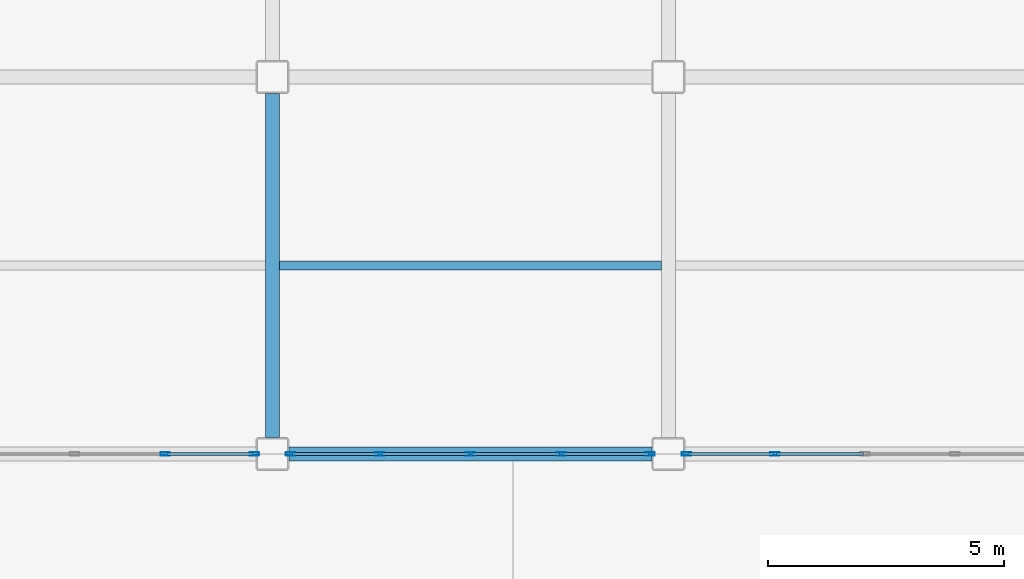
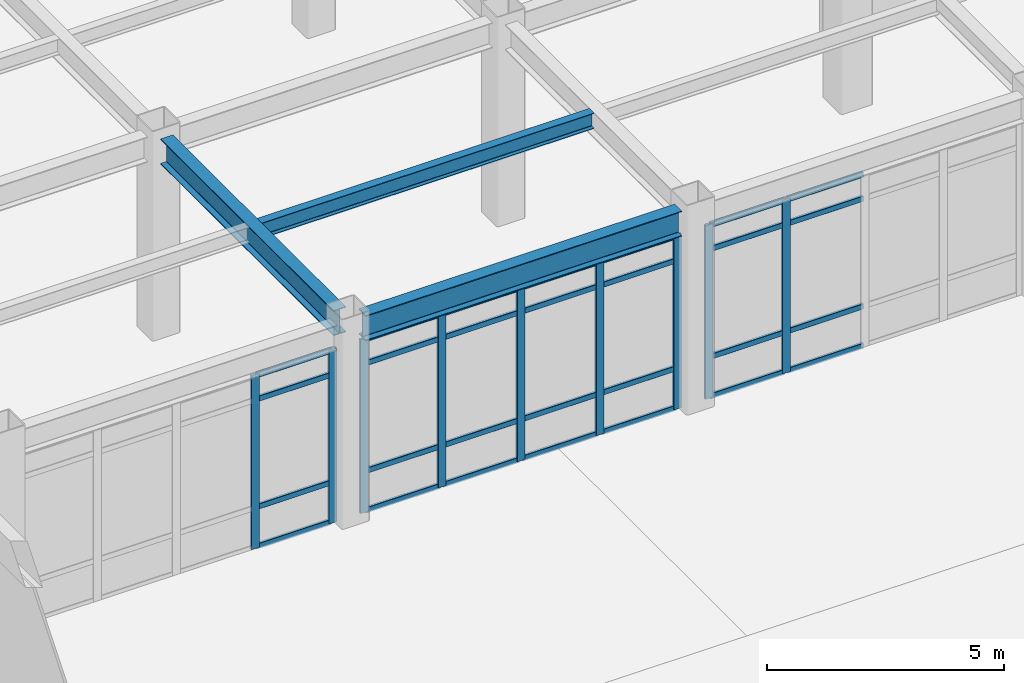
# One storey, part 84 of 165: 37 members, 3 beams, 3 elements without a shape of their own.
"""IFC4 building model written with IfcOpenShell, lengths in metres."""

from ifc_helpers import new_model, si_unit, direction, frame, origin, origin_2d, place, context, subcontext, project, spatial, hollow_rectangle, i_section, extrude, material, layer, layer_set, material_profile, profile_set, type_object, element, aggregate, save


model = new_model("IFC4")

# Units and contexts
model_context = context("Model", 3, precision=1e-05, world=origin(), true_north=direction((0.0, 1.0)))
body_context = subcontext(model_context, "Body", "Model", "MODEL_VIEW")
ifc_project = project(units=[si_unit("LENGTHUNIT", "METRE"), si_unit("AREAUNIT", "SQUARE_METRE"), si_unit("VOLUMEUNIT", "CUBIC_METRE"), si_unit("PLANEANGLEUNIT", "RADIAN"), si_unit("MASSUNIT", "GRAM", prefix="KILO")], contexts=[model_context])

# Site, building, storey
site_placement = place(None, origin())
site = spatial("IfcSite", under=ifc_project, at=site_placement, CompositionType="ELEMENT")
building_placement = place(site_placement, origin())
building = spatial("IfcBuilding", under=site, at=building_placement, Name="Kazehara Bluff Congress Hotel", CompositionType="ELEMENT")
storey_placement = place(building_placement, origin())
storey = spatial("IfcBuildingStorey", under=building, at=storey_placement, Name="L00", CompositionType="ELEMENT", Elevation=0.0)

# Curtain wall, members
ifc_material_1 = material(Name="Anodised aluminium", Category="aluminium")
ifc_layer_1 = layer(ifc_material_1, 0.159912109375)
ifc_layer_set_1 = layer_set([ifc_layer_1], Name="Anodised aluminium")
curtain_wall_type_1 = type_object("IfcCurtainWallType", Name="TP-CW-26", PredefinedType="NOTDEFINED", material=ifc_layer_set_1)
curtain_wall_1_placement = place(storey_placement, origin())
curtain_wall_1 = element("IfcCurtainWall", 1, at=curtain_wall_1_placement, inside=storey, type_object=curtain_wall_type_1, Name="L00 curtain wall CW-26 CW-V5-L00-Y1600-11885", PredefinedType="NOTDEFINED")
ifc_material_2 = material(Name="Anodised aluminium", Category="aluminium")
ifc_material_profile_1 = material_profile(ifc_material_2, hollow_rectangle(XDim=0.070068359375, YDim=0.199951171875, WallThickness=0.0048828125, InnerFilletRadius=0.0048828125, OuterFilletRadius=0.010009765625, at=origin_2d()))
ifc_profile_set_1 = profile_set([ifc_material_profile_1], Name="Anodised aluminium")
member_type_1 = type_object("IfcMemberType", Name="TP-CWM-03", PredefinedType="MULLION", material=ifc_profile_set_1)
member_1_placement = place(storey_placement, frame((124.625, 16.0, 0.0), z_axis=(0.0, 0.0, 1.0), x_axis=(0.0, 1.0, 0.0)))
member_1 = element("IfcMember", 2, at=member_1_placement, type_object=member_type_1, Name="CW-26 mullion 4", PredefinedType="MULLION", context=body_context, shape_type="SweptSolid", body=[
    extrude(hollow_rectangle(XDim=0.070068359375, YDim=0.199951171875, WallThickness=0.0048828125, InnerFilletRadius=0.0048828125, OuterFilletRadius=0.010009765625, at=origin_2d()), origin(), (0.0, 0.0, 1.0), 4.47509765625),
])
member_2_placement = place(storey_placement, frame((126.514892578125, 16.0, 0.0), z_axis=(0.0, 0.0, 1.0), x_axis=(0.0, 1.0, 0.0)))
member_2 = element("IfcMember", 3, at=member_2_placement, type_object=member_type_1, Name="CW-26 mullion 5", PredefinedType="MULLION", context=body_context, shape_type="SweptSolid", body=[
    extrude(hollow_rectangle(XDim=0.070068359375, YDim=0.199951171875, WallThickness=0.0048828125, InnerFilletRadius=0.0048828125, OuterFilletRadius=0.010009765625, at=origin_2d()), origin(), (0.0, 0.0, 1.0), 4.47509765625),
])

curtain_wall_2_placement = place(storey_placement, origin())
curtain_wall_2 = element("IfcCurtainWall", 4, at=curtain_wall_2_placement, inside=storey, type_object=curtain_wall_type_1, Name="L00 curtain wall CW-26 CW-V5-L00-Y1600-12725", PredefinedType="NOTDEFINED")
member_3_placement = place(storey_placement, frame((127.284912109375, 16.0, 0.0), z_axis=(0.0, 0.0, 1.0), x_axis=(0.0, 1.0, 0.0)))
member_3 = element("IfcMember", 5, at=member_3_placement, type_object=member_type_1, Name="CW-26 mullion 1", PredefinedType="MULLION", context=body_context, shape_type="SweptSolid", body=[
    extrude(hollow_rectangle(XDim=0.070068359375, YDim=0.199951171875, WallThickness=0.0048828125, InnerFilletRadius=0.0048828125, OuterFilletRadius=0.010009765625, at=origin_2d()), origin(), (0.0, 0.0, 1.0), 4.47509765625),
])
member_4_placement = place(storey_placement, frame((129.175048828125, 16.0, 0.0), z_axis=(0.0, 0.0, 1.0), x_axis=(0.0, 1.0, 0.0)))
member_4 = element("IfcMember", 6, at=member_4_placement, type_object=member_type_1, Name="CW-26 mullion 2", PredefinedType="MULLION", context=body_context, shape_type="SweptSolid", body=[
    extrude(hollow_rectangle(XDim=0.070068359375, YDim=0.199951171875, WallThickness=0.0048828125, InnerFilletRadius=0.0048828125, OuterFilletRadius=0.010009765625, at=origin_2d()), origin(), (0.0, 0.0, 1.0), 4.47509765625),
])
member_5_placement = place(storey_placement, frame((131.10009765625, 16.0, 0.0), z_axis=(0.0, 0.0, 1.0), x_axis=(0.0, 1.0, 0.0)))
member_5 = element("IfcMember", 7, at=member_5_placement, type_object=member_type_1, Name="CW-26 mullion 3", PredefinedType="MULLION", context=body_context, shape_type="SweptSolid", body=[
    extrude(hollow_rectangle(XDim=0.070068359375, YDim=0.199951171875, WallThickness=0.0048828125, InnerFilletRadius=0.0048828125, OuterFilletRadius=0.010009765625, at=origin_2d()), origin(), (0.0, 0.0, 1.0), 4.47509765625),
])
member_6_placement = place(storey_placement, frame((133.02490234375, 16.0, 0.0), z_axis=(0.0, 0.0, 1.0), x_axis=(0.0, 1.0, 0.0)))
member_6 = element("IfcMember", 8, at=member_6_placement, type_object=member_type_1, Name="CW-26 mullion 4", PredefinedType="MULLION", context=body_context, shape_type="SweptSolid", body=[
    extrude(hollow_rectangle(XDim=0.070068359375, YDim=0.199951171875, WallThickness=0.0048828125, InnerFilletRadius=0.0048828125, OuterFilletRadius=0.010009765625, at=origin_2d()), origin(), (0.0, 0.0, 1.0), 4.47509765625),
])
member_7_placement = place(storey_placement, frame((134.9150390625, 16.0, 0.0), z_axis=(0.0, 0.0, 1.0), x_axis=(0.0, 1.0, 0.0)))
member_7 = element("IfcMember", 9, at=member_7_placement, type_object=member_type_1, Name="CW-26 mullion 5", PredefinedType="MULLION", context=body_context, shape_type="SweptSolid", body=[
    extrude(hollow_rectangle(XDim=0.070068359375, YDim=0.199951171875, WallThickness=0.0048828125, InnerFilletRadius=0.0048828125, OuterFilletRadius=0.010009765625, at=origin_2d()), origin(), (0.0, 0.0, 1.0), 4.47509765625),
])

ifc_material_3 = material(Name="Anodised aluminium", Category="aluminium")
ifc_layer_2 = layer(ifc_material_3, 0.159912109375)
ifc_layer_set_2 = layer_set([ifc_layer_2], Name="Anodised aluminium")
curtain_wall_type_2 = type_object("IfcCurtainWallType", Name="TP-CW-19", PredefinedType="NOTDEFINED", material=ifc_layer_set_2)
curtain_wall_3_placement = place(storey_placement, origin())
curtain_wall_3 = element("IfcCurtainWall", 10, at=curtain_wall_3_placement, inside=storey, type_object=curtain_wall_type_2, Name="L00 curtain wall CW-19 CW-V5-L00-Y1600-13565", PredefinedType="NOTDEFINED")
member_8_placement = place(storey_placement, frame((135.68505859375, 16.0, 0.0), z_axis=(0.0, 0.0, 1.0), x_axis=(0.0, 1.0, 0.0)))
member_8 = element("IfcMember", 11, at=member_8_placement, type_object=member_type_1, Name="CW-19 mullion 1", PredefinedType="MULLION", context=body_context, shape_type="SweptSolid", body=[
    extrude(hollow_rectangle(XDim=0.070068359375, YDim=0.199951171875, WallThickness=0.0048828125, InnerFilletRadius=0.0048828125, OuterFilletRadius=0.010009765625, at=origin_2d()), origin(), (0.0, 0.0, 1.0), 4.47509765625),
])
member_9_placement = place(storey_placement, frame((137.5625, 16.0, 0.0), z_axis=(0.0, 0.0, 1.0), x_axis=(0.0, 1.0, 0.0)))
member_9 = element("IfcMember", 12, at=member_9_placement, type_object=member_type_1, Name="CW-19 mullion 2", PredefinedType="MULLION", context=body_context, shape_type="SweptSolid", body=[
    extrude(hollow_rectangle(XDim=0.070068359375, YDim=0.199951171875, WallThickness=0.0048828125, InnerFilletRadius=0.0048828125, OuterFilletRadius=0.010009765625, at=origin_2d()), origin(), (0.0, 0.0, 1.0), 4.47509765625),
])

# Member
ifc_material_4 = material(Name="Anodised aluminium", Category="aluminium")
ifc_material_profile_2 = material_profile(ifc_material_4, hollow_rectangle(XDim=0.06494140625, YDim=0.139892578125, WallThickness=0.00390625, InnerFilletRadius=0.00390625, OuterFilletRadius=0.008056640625, at=origin_2d()))
ifc_profile_set_2 = profile_set([ifc_material_profile_2], Name="Anodised aluminium")
member_type_2 = type_object("IfcMemberType", Name="TP-CWT-02", PredefinedType="USERDEFINED", material=ifc_profile_set_2)
member_10_placement = place(storey_placement, frame((124.659912109375, 16.0, 0.032470703125), z_axis=(1.0, 0.0, 0.0), x_axis=(0.0, 1.0, 0.0)))
member_10 = element("IfcMember", 13, at=member_10_placement, type_object=member_type_2, Name="CW-26 transom 4.1", ObjectType="TRANSOM", PredefinedType="USERDEFINED", context=body_context, shape_type="SweptSolid", body=[
    extrude(hollow_rectangle(XDim=0.06494140625, YDim=0.139892578125, WallThickness=0.00390625, InnerFilletRadius=0.00390625, OuterFilletRadius=0.008056640625, at=origin_2d()), origin(), (0.0, 0.0, 1.0), 1.820068359375),
])

member_11_placement = place(storey_placement, frame((124.659912109375, 16.0, 1.050048828125), z_axis=(1.0, 0.0, 0.0), x_axis=(0.0, 1.0, 0.0)))
member_11 = element("IfcMember", 14, at=member_11_placement, type_object=member_type_2, Name="CW-26 transom 4.2", ObjectType="TRANSOM", PredefinedType="USERDEFINED", context=body_context, shape_type="SweptSolid", body=[
    extrude(hollow_rectangle(XDim=0.06494140625, YDim=0.139892578125, WallThickness=0.00390625, InnerFilletRadius=0.00390625, OuterFilletRadius=0.008056640625, at=origin_2d()), origin(), (0.0, 0.0, 1.0), 1.820068359375),
])

member_12_placement = place(storey_placement, frame((124.659912109375, 16.0, 3.824951171875), z_axis=(1.0, 0.0, 0.0), x_axis=(0.0, 1.0, 0.0)))
member_12 = element("IfcMember", 15, at=member_12_placement, type_object=member_type_2, Name="CW-26 transom 4.3", ObjectType="TRANSOM", PredefinedType="USERDEFINED", context=body_context, shape_type="SweptSolid", body=[
    extrude(hollow_rectangle(XDim=0.06494140625, YDim=0.139892578125, WallThickness=0.00390625, InnerFilletRadius=0.00390625, OuterFilletRadius=0.008056640625, at=origin_2d()), origin(), (0.0, 0.0, 1.0), 1.820068359375),
])

member_13_placement = place(storey_placement, frame((124.659912109375, 16.0, 4.4423828125), z_axis=(1.0, 0.0, 0.0), x_axis=(0.0, 1.0, 0.0)))
member_13 = element("IfcMember", 16, at=member_13_placement, type_object=member_type_2, Name="CW-26 transom 4.4", ObjectType="TRANSOM", PredefinedType="USERDEFINED", context=body_context, shape_type="SweptSolid", body=[
    extrude(hollow_rectangle(XDim=0.06494140625, YDim=0.139892578125, WallThickness=0.00390625, InnerFilletRadius=0.00390625, OuterFilletRadius=0.008056640625, at=origin_2d()), origin(), (0.0, 0.0, 1.0), 1.820068359375),
])

aggregate(curtain_wall_1, [member_1, member_2, member_10, member_11, member_12, member_13])

member_14_placement = place(storey_placement, frame((127.320068359375, 16.0, 0.032470703125), z_axis=(1.0, 0.0, 0.0), x_axis=(0.0, 1.0, 0.0)))
member_14 = element("IfcMember", 17, at=member_14_placement, type_object=member_type_2, Name="CW-26 transom 1.1", ObjectType="TRANSOM", PredefinedType="USERDEFINED", context=body_context, shape_type="SweptSolid", body=[
    extrude(hollow_rectangle(XDim=0.06494140625, YDim=0.139892578125, WallThickness=0.00390625, InnerFilletRadius=0.00390625, OuterFilletRadius=0.008056640625, at=origin_2d()), origin(), (0.0, 0.0, 1.0), 1.81982421875),
])

member_15_placement = place(storey_placement, frame((127.320068359375, 16.0, 1.050048828125), z_axis=(1.0, 0.0, 0.0), x_axis=(0.0, 1.0, 0.0)))
member_15 = element("IfcMember", 18, at=member_15_placement, type_object=member_type_2, Name="CW-26 transom 1.2", ObjectType="TRANSOM", PredefinedType="USERDEFINED", context=body_context, shape_type="SweptSolid", body=[
    extrude(hollow_rectangle(XDim=0.06494140625, YDim=0.139892578125, WallThickness=0.00390625, InnerFilletRadius=0.00390625, OuterFilletRadius=0.008056640625, at=origin_2d()), origin(), (0.0, 0.0, 1.0), 1.81982421875),
])

member_16_placement = place(storey_placement, frame((127.320068359375, 16.0, 3.824951171875), z_axis=(1.0, 0.0, 0.0), x_axis=(0.0, 1.0, 0.0)))
member_16 = element("IfcMember", 19, at=member_16_placement, type_object=member_type_2, Name="CW-26 transom 1.3", ObjectType="TRANSOM", PredefinedType="USERDEFINED", context=body_context, shape_type="SweptSolid", body=[
    extrude(hollow_rectangle(XDim=0.06494140625, YDim=0.139892578125, WallThickness=0.00390625, InnerFilletRadius=0.00390625, OuterFilletRadius=0.008056640625, at=origin_2d()), origin(), (0.0, 0.0, 1.0), 1.81982421875),
])

member_17_placement = place(storey_placement, frame((127.320068359375, 16.0, 4.4423828125), z_axis=(1.0, 0.0, 0.0), x_axis=(0.0, 1.0, 0.0)))
member_17 = element("IfcMember", 20, at=member_17_placement, type_object=member_type_2, Name="CW-26 transom 1.4", ObjectType="TRANSOM", PredefinedType="USERDEFINED", context=body_context, shape_type="SweptSolid", body=[
    extrude(hollow_rectangle(XDim=0.06494140625, YDim=0.139892578125, WallThickness=0.00390625, InnerFilletRadius=0.00390625, OuterFilletRadius=0.008056640625, at=origin_2d()), origin(), (0.0, 0.0, 1.0), 1.81982421875),
])

member_18_placement = place(storey_placement, frame((129.2099609375, 16.0, 0.032470703125), z_axis=(1.0, 0.0, 0.0), x_axis=(0.0, 1.0, 0.0)))
member_18 = element("IfcMember", 21, at=member_18_placement, type_object=member_type_2, Name="CW-26 transom 2.1", ObjectType="TRANSOM", PredefinedType="USERDEFINED", context=body_context, shape_type="SweptSolid", body=[
    extrude(hollow_rectangle(XDim=0.06494140625, YDim=0.139892578125, WallThickness=0.00390625, InnerFilletRadius=0.00390625, OuterFilletRadius=0.008056640625, at=origin_2d()), origin(), (0.0, 0.0, 1.0), 1.85498046875),
])

member_19_placement = place(storey_placement, frame((129.2099609375, 16.0, 1.050048828125), z_axis=(1.0, 0.0, 0.0), x_axis=(0.0, 1.0, 0.0)))
member_19 = element("IfcMember", 22, at=member_19_placement, type_object=member_type_2, Name="CW-26 transom 2.2", ObjectType="TRANSOM", PredefinedType="USERDEFINED", context=body_context, shape_type="SweptSolid", body=[
    extrude(hollow_rectangle(XDim=0.06494140625, YDim=0.139892578125, WallThickness=0.00390625, InnerFilletRadius=0.00390625, OuterFilletRadius=0.008056640625, at=origin_2d()), origin(), (0.0, 0.0, 1.0), 1.85498046875),
])

member_20_placement = place(storey_placement, frame((129.2099609375, 16.0, 3.824951171875), z_axis=(1.0, 0.0, 0.0), x_axis=(0.0, 1.0, 0.0)))
member_20 = element("IfcMember", 23, at=member_20_placement, type_object=member_type_2, Name="CW-26 transom 2.3", ObjectType="TRANSOM", PredefinedType="USERDEFINED", context=body_context, shape_type="SweptSolid", body=[
    extrude(hollow_rectangle(XDim=0.06494140625, YDim=0.139892578125, WallThickness=0.00390625, InnerFilletRadius=0.00390625, OuterFilletRadius=0.008056640625, at=origin_2d()), origin(), (0.0, 0.0, 1.0), 1.85498046875),
])

member_21_placement = place(storey_placement, frame((129.2099609375, 16.0, 4.4423828125), z_axis=(1.0, 0.0, 0.0), x_axis=(0.0, 1.0, 0.0)))
member_21 = element("IfcMember", 24, at=member_21_placement, type_object=member_type_2, Name="CW-26 transom 2.4", ObjectType="TRANSOM", PredefinedType="USERDEFINED", context=body_context, shape_type="SweptSolid", body=[
    extrude(hollow_rectangle(XDim=0.06494140625, YDim=0.139892578125, WallThickness=0.00390625, InnerFilletRadius=0.00390625, OuterFilletRadius=0.008056640625, at=origin_2d()), origin(), (0.0, 0.0, 1.0), 1.85498046875),
])

member_22_placement = place(storey_placement, frame((131.135009765625, 16.0, 0.032470703125), z_axis=(1.0, 0.0, 0.0), x_axis=(0.0, 1.0, 0.0)))
member_22 = element("IfcMember", 25, at=member_22_placement, type_object=member_type_2, Name="CW-26 transom 3.1", ObjectType="TRANSOM", PredefinedType="USERDEFINED", context=body_context, shape_type="SweptSolid", body=[
    extrude(hollow_rectangle(XDim=0.06494140625, YDim=0.139892578125, WallThickness=0.00390625, InnerFilletRadius=0.00390625, OuterFilletRadius=0.008056640625, at=origin_2d()), origin(), (0.0, 0.0, 1.0), 1.85498046875),
])

member_23_placement = place(storey_placement, frame((131.135009765625, 16.0, 1.050048828125), z_axis=(1.0, 0.0, 0.0), x_axis=(0.0, 1.0, 0.0)))
member_23 = element("IfcMember", 26, at=member_23_placement, type_object=member_type_2, Name="CW-26 transom 3.2", ObjectType="TRANSOM", PredefinedType="USERDEFINED", context=body_context, shape_type="SweptSolid", body=[
    extrude(hollow_rectangle(XDim=0.06494140625, YDim=0.139892578125, WallThickness=0.00390625, InnerFilletRadius=0.00390625, OuterFilletRadius=0.008056640625, at=origin_2d()), origin(), (0.0, 0.0, 1.0), 1.85498046875),
])

member_24_placement = place(storey_placement, frame((131.135009765625, 16.0, 3.824951171875), z_axis=(1.0, 0.0, 0.0), x_axis=(0.0, 1.0, 0.0)))
member_24 = element("IfcMember", 27, at=member_24_placement, type_object=member_type_2, Name="CW-26 transom 3.3", ObjectType="TRANSOM", PredefinedType="USERDEFINED", context=body_context, shape_type="SweptSolid", body=[
    extrude(hollow_rectangle(XDim=0.06494140625, YDim=0.139892578125, WallThickness=0.00390625, InnerFilletRadius=0.00390625, OuterFilletRadius=0.008056640625, at=origin_2d()), origin(), (0.0, 0.0, 1.0), 1.85498046875),
])

member_25_placement = place(storey_placement, frame((131.135009765625, 16.0, 4.4423828125), z_axis=(1.0, 0.0, 0.0), x_axis=(0.0, 1.0, 0.0)))
member_25 = element("IfcMember", 28, at=member_25_placement, type_object=member_type_2, Name="CW-26 transom 3.4", ObjectType="TRANSOM", PredefinedType="USERDEFINED", context=body_context, shape_type="SweptSolid", body=[
    extrude(hollow_rectangle(XDim=0.06494140625, YDim=0.139892578125, WallThickness=0.00390625, InnerFilletRadius=0.00390625, OuterFilletRadius=0.008056640625, at=origin_2d()), origin(), (0.0, 0.0, 1.0), 1.85498046875),
])

member_26_placement = place(storey_placement, frame((133.06005859375, 16.0, 0.032470703125), z_axis=(1.0, 0.0, 0.0), x_axis=(0.0, 1.0, 0.0)))
member_26 = element("IfcMember", 29, at=member_26_placement, type_object=member_type_2, Name="CW-26 transom 4.1", ObjectType="TRANSOM", PredefinedType="USERDEFINED", context=body_context, shape_type="SweptSolid", body=[
    extrude(hollow_rectangle(XDim=0.06494140625, YDim=0.139892578125, WallThickness=0.00390625, InnerFilletRadius=0.00390625, OuterFilletRadius=0.008056640625, at=origin_2d()), origin(), (0.0, 0.0, 1.0), 1.81982421875),
])

member_27_placement = place(storey_placement, frame((133.06005859375, 16.0, 1.050048828125), z_axis=(1.0, 0.0, 0.0), x_axis=(0.0, 1.0, 0.0)))
member_27 = element("IfcMember", 30, at=member_27_placement, type_object=member_type_2, Name="CW-26 transom 4.2", ObjectType="TRANSOM", PredefinedType="USERDEFINED", context=body_context, shape_type="SweptSolid", body=[
    extrude(hollow_rectangle(XDim=0.06494140625, YDim=0.139892578125, WallThickness=0.00390625, InnerFilletRadius=0.00390625, OuterFilletRadius=0.008056640625, at=origin_2d()), origin(), (0.0, 0.0, 1.0), 1.81982421875),
])

member_28_placement = place(storey_placement, frame((133.06005859375, 16.0, 3.824951171875), z_axis=(1.0, 0.0, 0.0), x_axis=(0.0, 1.0, 0.0)))
member_28 = element("IfcMember", 31, at=member_28_placement, type_object=member_type_2, Name="CW-26 transom 4.3", ObjectType="TRANSOM", PredefinedType="USERDEFINED", context=body_context, shape_type="SweptSolid", body=[
    extrude(hollow_rectangle(XDim=0.06494140625, YDim=0.139892578125, WallThickness=0.00390625, InnerFilletRadius=0.00390625, OuterFilletRadius=0.008056640625, at=origin_2d()), origin(), (0.0, 0.0, 1.0), 1.81982421875),
])

member_29_placement = place(storey_placement, frame((133.06005859375, 16.0, 4.4423828125), z_axis=(1.0, 0.0, 0.0), x_axis=(0.0, 1.0, 0.0)))
member_29 = element("IfcMember", 32, at=member_29_placement, type_object=member_type_2, Name="CW-26 transom 4.4", ObjectType="TRANSOM", PredefinedType="USERDEFINED", context=body_context, shape_type="SweptSolid", body=[
    extrude(hollow_rectangle(XDim=0.06494140625, YDim=0.139892578125, WallThickness=0.00390625, InnerFilletRadius=0.00390625, OuterFilletRadius=0.008056640625, at=origin_2d()), origin(), (0.0, 0.0, 1.0), 1.81982421875),
])

aggregate(curtain_wall_2, [member_3, member_4, member_5, member_6, member_7, member_14, member_15, member_16, member_17, member_18, member_19, member_20, member_21, member_22, member_23, member_24, member_25, member_26, member_27, member_28, member_29])

member_30_placement = place(storey_placement, frame((135.719970703125, 16.0, 0.032470703125), z_axis=(1.0, 0.0, 0.0), x_axis=(0.0, 1.0, 0.0)))
member_30 = element("IfcMember", 33, at=member_30_placement, type_object=member_type_2, Name="CW-19 transom 1.1", ObjectType="TRANSOM", PredefinedType="USERDEFINED", context=body_context, shape_type="SweptSolid", body=[
    extrude(hollow_rectangle(XDim=0.06494140625, YDim=0.139892578125, WallThickness=0.00390625, InnerFilletRadius=0.00390625, OuterFilletRadius=0.008056640625, at=origin_2d()), origin(), (0.0, 0.0, 1.0), 1.8076171875),
])

member_31_placement = place(storey_placement, frame((135.719970703125, 16.0, 1.050048828125), z_axis=(1.0, 0.0, 0.0), x_axis=(0.0, 1.0, 0.0)))
member_31 = element("IfcMember", 34, at=member_31_placement, type_object=member_type_2, Name="CW-19 transom 1.2", ObjectType="TRANSOM", PredefinedType="USERDEFINED", context=body_context, shape_type="SweptSolid", body=[
    extrude(hollow_rectangle(XDim=0.06494140625, YDim=0.139892578125, WallThickness=0.00390625, InnerFilletRadius=0.00390625, OuterFilletRadius=0.008056640625, at=origin_2d()), origin(), (0.0, 0.0, 1.0), 1.8076171875),
])

member_32_placement = place(storey_placement, frame((135.719970703125, 16.0, 3.824951171875), z_axis=(1.0, 0.0, 0.0), x_axis=(0.0, 1.0, 0.0)))
member_32 = element("IfcMember", 35, at=member_32_placement, type_object=member_type_2, Name="CW-19 transom 1.3", ObjectType="TRANSOM", PredefinedType="USERDEFINED", context=body_context, shape_type="SweptSolid", body=[
    extrude(hollow_rectangle(XDim=0.06494140625, YDim=0.139892578125, WallThickness=0.00390625, InnerFilletRadius=0.00390625, OuterFilletRadius=0.008056640625, at=origin_2d()), origin(), (0.0, 0.0, 1.0), 1.8076171875),
])

member_33_placement = place(storey_placement, frame((135.719970703125, 16.0, 4.4423828125), z_axis=(1.0, 0.0, 0.0), x_axis=(0.0, 1.0, 0.0)))
member_33 = element("IfcMember", 36, at=member_33_placement, type_object=member_type_2, Name="CW-19 transom 1.4", ObjectType="TRANSOM", PredefinedType="USERDEFINED", context=body_context, shape_type="SweptSolid", body=[
    extrude(hollow_rectangle(XDim=0.06494140625, YDim=0.139892578125, WallThickness=0.00390625, InnerFilletRadius=0.00390625, OuterFilletRadius=0.008056640625, at=origin_2d()), origin(), (0.0, 0.0, 1.0), 1.8076171875),
])

member_34_placement = place(storey_placement, frame((137.597412109375, 16.0, 0.032470703125), z_axis=(1.0, 0.0, 0.0), x_axis=(0.0, 1.0, 0.0)))
member_34 = element("IfcMember", 37, at=member_34_placement, type_object=member_type_2, Name="CW-19 transom 2.1", ObjectType="TRANSOM", PredefinedType="USERDEFINED", context=body_context, shape_type="SweptSolid", body=[
    extrude(hollow_rectangle(XDim=0.06494140625, YDim=0.139892578125, WallThickness=0.00390625, InnerFilletRadius=0.00390625, OuterFilletRadius=0.008056640625, at=origin_2d()), origin(), (0.0, 0.0, 1.0), 1.842529296875),
])

member_35_placement = place(storey_placement, frame((137.597412109375, 16.0, 1.050048828125), z_axis=(1.0, 0.0, 0.0), x_axis=(0.0, 1.0, 0.0)))
member_35 = element("IfcMember", 38, at=member_35_placement, type_object=member_type_2, Name="CW-19 transom 2.2", ObjectType="TRANSOM", PredefinedType="USERDEFINED", context=body_context, shape_type="SweptSolid", body=[
    extrude(hollow_rectangle(XDim=0.06494140625, YDim=0.139892578125, WallThickness=0.00390625, InnerFilletRadius=0.00390625, OuterFilletRadius=0.008056640625, at=origin_2d()), origin(), (0.0, 0.0, 1.0), 1.842529296875),
])

member_36_placement = place(storey_placement, frame((137.597412109375, 16.0, 3.824951171875), z_axis=(1.0, 0.0, 0.0), x_axis=(0.0, 1.0, 0.0)))
member_36 = element("IfcMember", 39, at=member_36_placement, type_object=member_type_2, Name="CW-19 transom 2.3", ObjectType="TRANSOM", PredefinedType="USERDEFINED", context=body_context, shape_type="SweptSolid", body=[
    extrude(hollow_rectangle(XDim=0.06494140625, YDim=0.139892578125, WallThickness=0.00390625, InnerFilletRadius=0.00390625, OuterFilletRadius=0.008056640625, at=origin_2d()), origin(), (0.0, 0.0, 1.0), 1.842529296875),
])

member_37_placement = place(storey_placement, frame((137.597412109375, 16.0, 4.4423828125), z_axis=(1.0, 0.0, 0.0), x_axis=(0.0, 1.0, 0.0)))
member_37 = element("IfcMember", 40, at=member_37_placement, type_object=member_type_2, Name="CW-19 transom 2.4", ObjectType="TRANSOM", PredefinedType="USERDEFINED", context=body_context, shape_type="SweptSolid", body=[
    extrude(hollow_rectangle(XDim=0.06494140625, YDim=0.139892578125, WallThickness=0.00390625, InnerFilletRadius=0.00390625, OuterFilletRadius=0.008056640625, at=origin_2d()), origin(), (0.0, 0.0, 1.0), 1.842529296875),
])

aggregate(curtain_wall_3, [member_8, member_9, member_30, member_31, member_32, member_33, member_34, member_35, member_36, member_37])

# Beams
ifc_material_5 = material(Name="Steel SN490B", Category="steel")
ifc_material_profile_3 = material_profile(ifc_material_5, i_section(OverallWidth=0.300048828125, OverallDepth=0.64990234375, WebThickness=0.011962890625, FlangeThickness=0.02001953125, FilletRadius=0.012939453125, at=origin_2d()))
ifc_profile_set_3 = profile_set([ifc_material_profile_3], Name="Steel SN490B")
beam_type_1 = type_object("IfcBeamType", Name="TP-G-03", PredefinedType="BEAM", material=ifc_profile_set_3)
beam_1_placement = place(storey_placement, frame((126.89990234375, 16.35009765625, 4.824951171875), z_axis=(0.0, 1.0, 0.0), x_axis=(-1.0, 0.0, 0.0)))
element("IfcBeam", 41, at=beam_1_placement, inside=storey, type_object=beam_type_1, Name="L00 girder G-03 225", PredefinedType="BEAM", context=body_context, shape_type="SweptSolid", body=[
    extrude(i_section(OverallWidth=0.300048828125, OverallDepth=0.64990234375, WebThickness=0.011962890625, FlangeThickness=0.02001953125, FilletRadius=0.012939453125, at=origin_2d()), origin(), (0.0, 0.0, 1.0), 7.2998046875),
])
beam_2_placement = place(storey_placement, frame((127.25, 16.0, 4.824951171875), z_axis=(1.0, 0.0, 0.0), x_axis=(0.0, 1.0, 0.0)))
element("IfcBeam", 42, at=beam_2_placement, inside=storey, type_object=beam_type_1, Name="L00 girder G-03 279", PredefinedType="BEAM", context=body_context, shape_type="SweptSolid", body=[
    extrude(i_section(OverallWidth=0.300048828125, OverallDepth=0.64990234375, WebThickness=0.011962890625, FlangeThickness=0.02001953125, FilletRadius=0.012939453125, at=origin_2d()), origin(), (0.0, 0.0, 1.0), 7.699951171875),
])
ifc_material_6 = material(Name="Steel SN400B", Category="steel")
ifc_material_profile_4 = material_profile(ifc_material_6, i_section(OverallWidth=0.199951171875, OverallDepth=0.39990234375, WebThickness=0.008056640625, FlangeThickness=0.012939453125, FilletRadius=0.012939453125, at=origin_2d()))
ifc_profile_set_4 = profile_set([ifc_material_profile_4], Name="Steel SN400B")
beam_type_2 = type_object("IfcBeamType", Name="TP-J-03", PredefinedType="JOIST", material=ifc_profile_set_4)
beam_3_placement = place(storey_placement, frame((127.050048828125, 20.0, 4.949951171875), z_axis=(1.0, 0.0, 0.0), x_axis=(0.0, 1.0, 0.0)))
element("IfcBeam", 43, at=beam_3_placement, inside=storey, type_object=beam_type_2, Name="L00 secondary joist J-03 57", PredefinedType="JOIST", context=body_context, shape_type="SweptSolid", body=[
    extrude(i_section(OverallWidth=0.199951171875, OverallDepth=0.39990234375, WebThickness=0.008056640625, FlangeThickness=0.012939453125, FilletRadius=0.012939453125, at=origin_2d()), origin(), (0.0, 0.0, 1.0), 8.099853515625),
])

save(model, "model.ifc")
